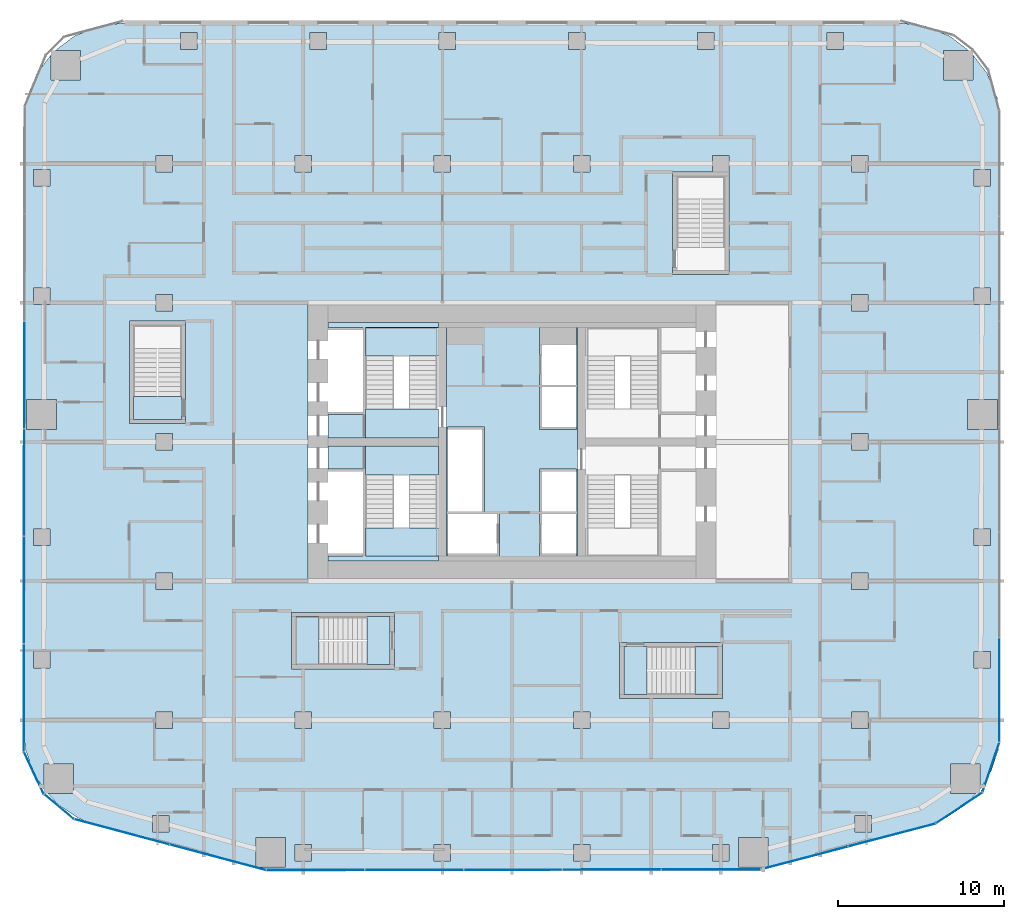
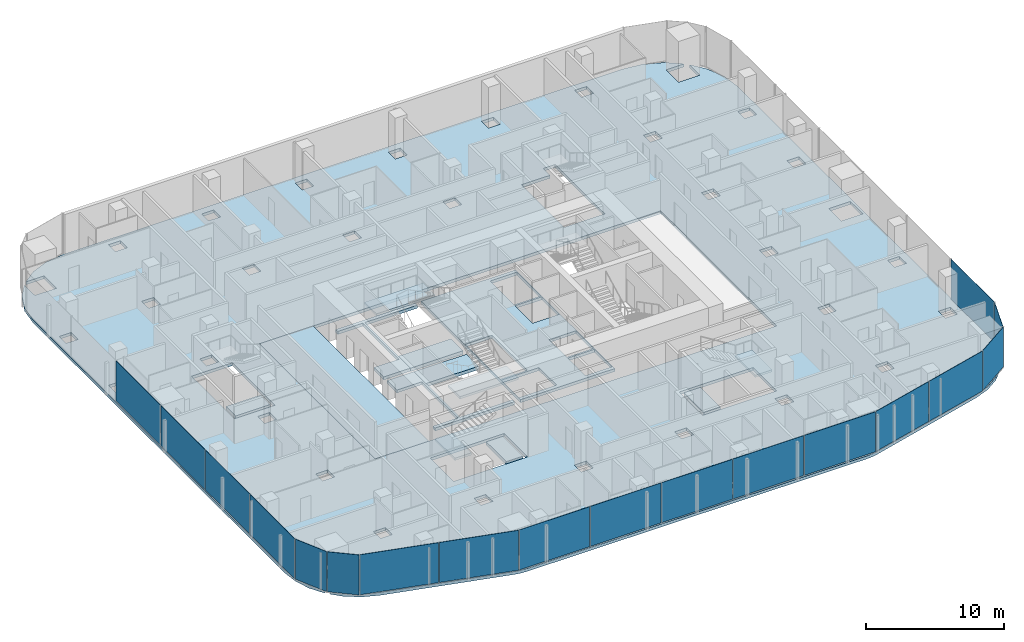
# One storey, part 14 of 26: 18 plates, 14 slabs, 13 elements without a shape of their own.
"""IFC4 building model written with IfcOpenShell, lengths in metres."""

from ifc_helpers import new_model, si_unit, direction, frame, origin, origin_2d, place, context, subcontext, project, spatial, polyline, rectangle, outline, extrude, material, layer, layer_set, type_object, element, aggregate, save


model = new_model("IFC4")

# Units and contexts
model_context = context("Model", 3, precision=1e-05, world=origin(), true_north=direction((0.0, 1.0)))
body_context = subcontext(model_context, "Body", "Model", "MODEL_VIEW")
ifc_project = project(units=[si_unit("LENGTHUNIT", "METRE"), si_unit("AREAUNIT", "SQUARE_METRE"), si_unit("VOLUMEUNIT", "CUBIC_METRE"), si_unit("PLANEANGLEUNIT", "RADIAN"), si_unit("MASSUNIT", "GRAM", prefix="KILO")], contexts=[model_context])

# Site, building, storey
site_placement = place(None, origin())
site = spatial("IfcSite", under=ifc_project, at=site_placement, CompositionType="ELEMENT")
building_placement = place(site_placement, origin())
building = spatial("IfcBuilding", under=site, at=building_placement, Name="Marenta Gate Hotel Tower", CompositionType="ELEMENT")
storey_placement = place(building_placement, frame((0.0, 0.0, 65.300048828125)))
storey = spatial("IfcBuildingStorey", under=building, at=storey_placement, Name="L14", CompositionType="ELEMENT", Elevation=65.300048828125)

# Slabs
ifc_material_1 = material(Name="Concrete C35", Category="concrete")
ifc_layer_1 = layer(ifc_material_1, 0.260009765625)
ifc_layer_set_1 = layer_set([ifc_layer_1], Name="Concrete C35")
slab_type_1 = type_object("IfcSlabType", Name="Concrete floor slab 260", PredefinedType="FLOOR", material=ifc_layer_set_1)
slab_1_placement = place(storey_placement, frame((0.0, 0.0, -0.260009765625)))
element("IfcSlab", 1, at=slab_1_placement, inside=storey, type_object=slab_type_1, Name="L14-SL-1", PredefinedType="FLOOR", context=body_context, shape_type="SweptSolid", body=[
    extrude(outline(polyline([(-27.313720703125, -13.56396484375), (-28.015625, -12.8330078125), (-26.462890625, -12.8330078125), (-26.462890625, -11.032958984375), (-28.262939453125, -11.032958984375), (-28.262939453125, -12.55859375), (-28.927001953125, -11.467041015625), (-29.35546875, -10.20703125), (-29.5, -8.889892578125), (-29.5, 27.6064453125), (-29.29296875, 29.178955078125), (-28.68359375, 30.650390625), (-27.83544921875, 31.755615234375), (-27.83544921875, 30.235595703125), (-26.035400390625, 30.235595703125), (-26.035400390625, 32.035400390625), (-27.555419921875, 32.035400390625), (-26.450439453125, 32.883544921875), (-24.97900390625, 33.492919921875), (-23.406494140625, 33.699951171875), (23.406494140625, 33.699951171875), (24.97900390625, 33.492919921875), (26.450439453125, 32.883544921875), (27.555419921875, 32.035400390625), (26.035400390625, 32.035400390625), (26.035400390625, 30.235595703125), (27.83544921875, 30.235595703125), (27.83544921875, 31.755615234375), (28.68359375, 30.650390625), (29.29296875, 29.178955078125), (29.5, 27.6064453125), (29.5, -8.889892578125), (29.35546875, -10.20703125), (28.927001953125, -11.467041015625), (28.262939453125, -12.55859375), (28.262939453125, -11.032958984375), (26.462890625, -11.032958984375), (26.462890625, -12.8330078125), (28.015625, -12.8330078125), (27.313720703125, -13.56396484375), (26.205810546875, -14.30126953125), (24.969482421875, -14.77880859375), (15.2265625, -17.36376953125), (14.70849609375, -17.4658203125), (14.181640625, -17.5), (-14.181640625, -17.5), (-14.70849609375, -17.4658203125), (-15.2265625, -17.36376953125), (-24.969482421875, -14.77880859375), (-26.205810546875, -14.30126953125), (-27.313720703125, -13.56396484375)]), holes=[polyline([(-16.800048828125, 0.0), (16.800048828125, 0.0), (16.800048828125, 16.800048828125), (-16.800048828125, 16.800048828125), (-16.800048828125, 0.0)]), polyline([(-13.666259765625, -15.474853515625), (-15.46630859375, -15.474853515625), (-15.46630859375, -17.27490234375), (-13.666259765625, -17.27490234375), (-13.666259765625, -15.474853515625)]), polyline([(-20.706787109375, -14.13916015625), (-21.706787109375, -14.13916015625), (-21.706787109375, -15.13916015625), (-20.706787109375, -15.13916015625), (-20.706787109375, -14.13916015625)]), polyline([(-20.5, -8.89990234375), (-20.5, -7.89990234375), (-21.5, -7.89990234375), (-21.5, -8.89990234375), (-20.5, -8.89990234375)]), polyline([(-12.10009765625, -8.89990234375), (-12.10009765625, -7.89990234375), (-13.10009765625, -7.89990234375), (-13.10009765625, -8.89990234375), (-12.10009765625, -8.89990234375)]), polyline([(-27.89990234375, -4.251953125), (-28.89990234375, -4.251953125), (-28.89990234375, -5.251953125), (-27.89990234375, -5.251953125), (-27.89990234375, -4.251953125)]), polyline([(-20.5, -0.5), (-20.5, 0.5), (-21.5, 0.5), (-21.5, -0.5), (-20.5, -0.5)]), polyline([(-27.89990234375, 2.149169921875), (-27.89990234375, 3.149169921875), (-28.89990234375, 3.149169921875), (-28.89990234375, 2.149169921875), (-27.89990234375, 2.149169921875)]), polyline([(-20.5, 8.89990234375), (-21.5, 8.89990234375), (-21.5, 7.89990234375), (-20.5, 7.89990234375), (-20.5, 8.89990234375)]), polyline([(-27.5, 9.14990234375), (-27.5, 10.949951171875), (-29.300048828125, 10.949951171875), (-29.300048828125, 9.14990234375), (-27.5, 9.14990234375)]), polyline([(-20.5, 16.300048828125), (-20.5, 17.300048828125), (-21.5, 17.300048828125), (-21.5, 16.300048828125), (-20.5, 16.300048828125)]), polyline([(-27.89990234375, 17.703125), (-28.89990234375, 17.703125), (-28.89990234375, 16.703125), (-27.89990234375, 16.703125), (-27.89990234375, 17.703125)]), polyline([(-27.89990234375, 23.8564453125), (-27.89990234375, 24.8564453125), (-28.89990234375, 24.8564453125), (-28.89990234375, 23.8564453125), (-27.89990234375, 23.8564453125)]), polyline([(-20.5, 24.699951171875), (-20.5, 25.699951171875), (-21.5, 25.699951171875), (-21.5, 24.699951171875), (-20.5, 24.699951171875)]), polyline([(-19.0068359375, 32.10009765625), (-19.0068359375, 33.10009765625), (-20.0068359375, 33.10009765625), (-20.0068359375, 32.10009765625), (-19.0068359375, 32.10009765625)]), polyline([(-12.10009765625, -16.89990234375), (-12.10009765625, -15.89990234375), (-13.10009765625, -15.89990234375), (-13.10009765625, -16.89990234375), (-12.10009765625, -16.89990234375)]), polyline([(-3.699951171875, -15.89990234375), (-4.699951171875, -15.89990234375), (-4.699951171875, -16.89990234375), (-3.699951171875, -16.89990234375), (-3.699951171875, -15.89990234375)]), polyline([(4.699951171875, -16.89990234375), (4.699951171875, -15.89990234375), (3.699951171875, -15.89990234375), (3.699951171875, -16.89990234375), (4.699951171875, -16.89990234375)]), polyline([(13.10009765625, -16.89990234375), (13.10009765625, -15.89990234375), (12.10009765625, -15.89990234375), (12.10009765625, -16.89990234375), (13.10009765625, -16.89990234375)]), polyline([(15.46630859375, -15.474853515625), (13.666259765625, -15.474853515625), (13.666259765625, -17.27490234375), (15.46630859375, -17.27490234375), (15.46630859375, -15.474853515625)]), polyline([(-3.699951171875, -8.89990234375), (-3.699951171875, -7.89990234375), (-4.699951171875, -7.89990234375), (-4.699951171875, -8.89990234375), (-3.699951171875, -8.89990234375)]), polyline([(4.699951171875, -8.89990234375), (4.699951171875, -7.89990234375), (3.699951171875, -7.89990234375), (3.699951171875, -8.89990234375), (4.699951171875, -8.89990234375)]), polyline([(13.10009765625, -7.89990234375), (12.10009765625, -7.89990234375), (12.10009765625, -8.89990234375), (13.10009765625, -8.89990234375), (13.10009765625, -7.89990234375)]), polyline([(-12.10009765625, 25.699951171875), (-13.10009765625, 25.699951171875), (-13.10009765625, 24.699951171875), (-12.10009765625, 24.699951171875), (-12.10009765625, 25.699951171875)]), polyline([(-3.699951171875, 25.699951171875), (-4.699951171875, 25.699951171875), (-4.699951171875, 24.699951171875), (-3.699951171875, 24.699951171875), (-3.699951171875, 25.699951171875)]), polyline([(4.699951171875, 24.699951171875), (4.699951171875, 25.699951171875), (3.699951171875, 25.699951171875), (3.699951171875, 24.699951171875), (4.699951171875, 24.699951171875)]), polyline([(13.10009765625, 25.699951171875), (12.10009765625, 25.699951171875), (12.10009765625, 24.699951171875), (9.699951171875, 24.699951171875), (9.699951171875, 18.5), (13.10009765625, 18.5), (13.10009765625, 25.699951171875)]), polyline([(-11.2041015625, 33.10009765625), (-12.2041015625, 33.10009765625), (-12.2041015625, 32.10009765625), (-11.2041015625, 32.10009765625), (-11.2041015625, 33.10009765625)]), polyline([(-3.4013671875, 32.10009765625), (-3.4013671875, 33.10009765625), (-4.4013671875, 33.10009765625), (-4.4013671875, 32.10009765625), (-3.4013671875, 32.10009765625)]), polyline([(4.4013671875, 32.10009765625), (4.4013671875, 33.10009765625), (3.4013671875, 33.10009765625), (3.4013671875, 32.10009765625), (4.4013671875, 32.10009765625)]), polyline([(12.2041015625, 33.10009765625), (11.2041015625, 33.10009765625), (11.2041015625, 32.10009765625), (12.2041015625, 32.10009765625), (12.2041015625, 33.10009765625)]), polyline([(21.706787109375, -15.13916015625), (21.706787109375, -14.13916015625), (20.706787109375, -14.13916015625), (20.706787109375, -15.13916015625), (21.706787109375, -15.13916015625)]), polyline([(21.5, -7.89990234375), (20.5, -7.89990234375), (20.5, -8.89990234375), (21.5, -8.89990234375), (21.5, -7.89990234375)]), polyline([(28.89990234375, -5.251953125), (28.89990234375, -4.251953125), (27.89990234375, -4.251953125), (27.89990234375, -5.251953125), (28.89990234375, -5.251953125)]), polyline([(21.5, -0.5), (21.5, 0.5), (20.5, 0.5), (20.5, -0.5), (21.5, -0.5)]), polyline([(28.89990234375, 3.149169921875), (27.89990234375, 3.149169921875), (27.89990234375, 2.149169921875), (28.89990234375, 2.149169921875), (28.89990234375, 3.149169921875)]), polyline([(21.5, 7.89990234375), (21.5, 8.89990234375), (20.5, 8.89990234375), (20.5, 7.89990234375), (21.5, 7.89990234375)]), polyline([(29.300048828125, 9.14990234375), (29.300048828125, 10.949951171875), (27.5, 10.949951171875), (27.5, 9.14990234375), (29.300048828125, 9.14990234375)]), polyline([(21.5, 17.300048828125), (20.5, 17.300048828125), (20.5, 16.300048828125), (21.5, 16.300048828125), (21.5, 17.300048828125)]), polyline([(28.89990234375, 16.703125), (28.89990234375, 17.703125), (27.89990234375, 17.703125), (27.89990234375, 16.703125), (28.89990234375, 16.703125)]), polyline([(28.89990234375, 23.8564453125), (28.89990234375, 24.8564453125), (27.89990234375, 24.8564453125), (27.89990234375, 23.8564453125), (28.89990234375, 23.8564453125)]), polyline([(21.5, 25.699951171875), (20.5, 25.699951171875), (20.5, 24.699951171875), (21.5, 24.699951171875), (21.5, 25.699951171875)]), polyline([(20.0068359375, 32.10009765625), (20.0068359375, 33.10009765625), (19.0068359375, 33.10009765625), (19.0068359375, 32.10009765625), (20.0068359375, 32.10009765625)]), polyline([(6.5, -7.10009765625), (12.699951171875, -7.10009765625), (12.699951171875, -3.699951171875), (6.5, -3.699951171875), (6.5, -7.10009765625)]), polyline([(-13.300048828125, -5.300048828125), (-7.10009765625, -5.300048828125), (-7.10009765625, -1.89990234375), (-13.300048828125, -1.89990234375), (-13.300048828125, -5.300048828125)]), polyline([(-23.10009765625, 9.5), (-19.699951171875, 9.5), (-19.699951171875, 15.699951171875), (-23.10009765625, 15.699951171875), (-23.10009765625, 9.5)])]), origin(), (0.0, 0.0, 1.0), 0.260009765625),
])
ifc_material_2 = material(Name="Concrete C40", Category="concrete")
ifc_layer_2 = layer(ifc_material_2, 0.260009765625)
ifc_layer_set_2 = layer_set([ifc_layer_2], Name="Concrete C40")
slab_type_2 = type_object("IfcSlabType", Name="Core floor slab 260", PredefinedType="FLOOR", material=ifc_layer_set_2)
slab_2_placement = place(storey_placement, frame((0.0, 0.0, -0.260009765625)))
element("IfcSlab", 2, at=slab_2_placement, inside=storey, type_object=slab_type_2, Name="L14-CF-4", PredefinedType="FLOOR", context=body_context, shape_type="SweptSolid", body=[
    extrude(outline(polyline([(3.949951171875, 15.300048828125), (3.949951171875, 10.39990234375), (3.949951171875, 6.39990234375), (3.949951171875, 1.5), (3.949951171875, 1.199951171875), (-3.949951171875, 1.199951171875), (-3.949951171875, 1.5), (-3.949951171875, 6.39990234375), (-3.949951171875, 10.39990234375), (-3.949951171875, 15.300048828125), (-3.949951171875, 15.60009765625), (3.949951171875, 15.60009765625), (3.949951171875, 15.300048828125)]), holes=[polyline([(1.64990234375, 4.050048828125), (1.64990234375, 1.64990234375), (1.64990234375, 1.5), (3.89990234375, 1.5), (3.89990234375, 1.64990234375), (3.89990234375, 4.050048828125), (1.800048828125, 4.050048828125), (1.64990234375, 4.050048828125)]), polyline([(1.64990234375, 9.14990234375), (3.89990234375, 9.14990234375), (3.89990234375, 9.300048828125), (3.89990234375, 11.699951171875), (1.800048828125, 11.699951171875), (1.64990234375, 11.699951171875), (1.64990234375, 9.300048828125), (1.64990234375, 9.14990234375)]), polyline([(1.64990234375, 11.85009765625), (1.800048828125, 11.85009765625), (3.89990234375, 11.85009765625), (3.89990234375, 14.25), (3.89990234375, 15.300048828125), (1.64990234375, 15.300048828125), (1.64990234375, 14.25), (1.64990234375, 11.85009765625)]), polyline([(3.89990234375, 6.60009765625), (3.89990234375, 6.75), (1.64990234375, 6.75), (1.64990234375, 6.60009765625), (1.64990234375, 4.199951171875), (1.800048828125, 4.199951171875), (3.89990234375, 4.199951171875), (3.89990234375, 6.60009765625)]), polyline([(-3.89990234375, 1.5), (-0.89990234375, 1.5), (-0.75, 1.5), (-0.75, 4.050048828125), (-0.89990234375, 4.050048828125), (-3.89990234375, 4.050048828125), (-3.89990234375, 1.64990234375), (-3.89990234375, 1.5)]), polyline([(-1.64990234375, 4.199951171875), (-1.64990234375, 9.14990234375), (-1.64990234375, 9.300048828125), (-3.89990234375, 9.300048828125), (-3.89990234375, 9.14990234375), (-3.89990234375, 6.75), (-3.89990234375, 6.60009765625), (-3.89990234375, 4.199951171875), (-1.800048828125, 4.199951171875), (-1.64990234375, 4.199951171875)])]), origin(), (0.0, 0.0, 1.0), 0.260009765625),
])
slab_3_placement = place(storey_placement, frame((0.0, 0.0, -0.260009765625)))
element("IfcSlab", 3, at=slab_3_placement, inside=storey, type_object=slab_type_2, Name="L14-CF-5", PredefinedType="FLOOR", context=body_context, shape_type="SweptSolid", body=[
    extrude(outline(polyline([(-9.0, 1.5), (-9.0, 1.64990234375), (-9.0, 4.050048828125), (-9.0, 4.199951171875), (-9.0, 6.60009765625), (-9.0, 6.75), (-11.10009765625, 6.75), (-11.10009765625, 8.14990234375), (-8.85009765625, 8.14990234375), (-8.85009765625, 8.10009765625), (-8.85009765625, 6.39990234375), (-8.85009765625, 1.5), (-4.449951171875, 1.5), (-4.449951171875, 1.199951171875), (-11.10009765625, 1.199951171875), (-11.10009765625, 1.5), (-9.0, 1.5)])), origin(), (0.0, 0.0, 1.0), 0.260009765625),
])
slab_4_placement = place(storey_placement, frame((0.0, 0.0, -0.260009765625)))
element("IfcSlab", 4, at=slab_4_placement, inside=storey, type_object=slab_type_2, Name="L14-CF-6", PredefinedType="FLOOR", context=body_context, shape_type="SweptSolid", body=[
    extrude(outline(polyline([(-4.449951171875, 15.300048828125), (-8.85009765625, 15.300048828125), (-8.85009765625, 10.39990234375), (-8.85009765625, 8.699951171875), (-8.85009765625, 8.64990234375), (-11.10009765625, 8.64990234375), (-11.10009765625, 10.050048828125), (-9.0, 10.050048828125), (-9.0, 10.199951171875), (-9.0, 12.60009765625), (-9.0, 12.75), (-9.0, 15.14990234375), (-9.0, 15.300048828125), (-11.10009765625, 15.300048828125), (-11.10009765625, 15.60009765625), (-4.449951171875, 15.60009765625), (-4.449951171875, 15.300048828125)])), origin(), (0.0, 0.0, 1.0), 0.260009765625),
])
slab_5_placement = place(storey_placement, frame((0.0, 0.0, -0.260009765625)))
element("IfcSlab", 5, at=slab_5_placement, inside=storey, type_object=slab_type_2, Name="L14-CF-7", PredefinedType="FLOOR", context=body_context, shape_type="SweptSolid", body=[
    extrude(outline(polyline([(-12.300048828125, 16.800048828125), (-12.300048828125, 0.0), (-16.800048828125, 0.0), (-16.800048828125, 16.800048828125), (-12.300048828125, 16.800048828125)])), origin(), (0.0, 0.0, 1.0), 0.260009765625),
])

# Stair, slab
ifc_material_3 = material(Name="Concrete C40", Category="concrete")
stair_type_1 = type_object("IfcStairType", Name="Core exit stair 1700 wide", PredefinedType="HALF_TURN_STAIR", material=ifc_material_3)
stair_1_placement = place(storey_placement, origin())
stair_1 = element("IfcStair", 6, at=stair_1_placement, inside=storey, type_object=stair_type_1, Name="Exit stair 1", PredefinedType="HALF_TURN_STAIR")
ifc_material_4 = material(Name="Concrete C40", Category="concrete")
ifc_layer_3 = layer(ifc_material_4, 0.199951171875)
ifc_layer_set_3 = layer_set([ifc_layer_3], Name="Concrete C40")
slab_type_3 = type_object("IfcSlabType", Name="Core stair landing 200", PredefinedType="LANDING", material=ifc_layer_set_3)
slab_6_placement = place(storey_placement, frame((0.0, 0.0, 1.599853515625)))
slab_6 = element("IfcSlab", 7, at=slab_6_placement, type_object=slab_type_3, Name="SL-200 ST1 landing 1", PredefinedType="LANDING", context=body_context, shape_type="SweptSolid", body=[
    extrude(outline(polyline([(-8.85009765625, 1.5), (-3.949951171875, 1.5), (-3.949951171875, 3.2099609375), (-8.85009765625, 3.2099609375), (-8.85009765625, 1.5)])), origin(), (0.0, 0.0, 1.0), 0.2001953125),
])
aggregate(stair_1, [slab_6])

stair_2_placement = place(storey_placement, origin())
stair_2 = element("IfcStair", 8, at=stair_2_placement, inside=storey, type_object=stair_type_1, Name="Exit stair 2", PredefinedType="HALF_TURN_STAIR")
slab_7_placement = place(storey_placement, frame((0.0, 0.0, 1.599853515625)))
slab_7 = element("IfcSlab", 9, at=slab_7_placement, type_object=slab_type_3, Name="SL-200 ST2 landing 1", PredefinedType="LANDING", context=body_context, shape_type="SweptSolid", body=[
    extrude(outline(polyline([(-8.85009765625, 13.590087890625), (-3.949951171875, 13.590087890625), (-3.949951171875, 15.300048828125), (-8.85009765625, 15.300048828125), (-8.85009765625, 13.590087890625)])), origin(), (0.0, 0.0, 1.0), 0.2001953125),
])
aggregate(stair_2, [slab_7])

# Curtain wall, plates
ifc_material_5 = material(Name="Tinted insulated glass in bronze anodised frame", Category="glass")
ifc_layer_4 = layer(ifc_material_5, 0.1201171875)
ifc_layer_set_4 = layer_set([ifc_layer_4], Name="Tinted insulated glass in bronze anodised frame")
curtain_wall_type = type_object("IfcCurtainWallType", Name="Tower unitised curtain wall CW1", PredefinedType="NOTDEFINED", material=ifc_layer_set_4)
curtain_wall_1_placement = place(storey_placement, origin())
curtain_wall_1 = element("IfcCurtainWall", 10, at=curtain_wall_1_placement, inside=storey, type_object=curtain_wall_type, Name="CW1 run G03", PredefinedType="NOTDEFINED")
ifc_material_6 = material(Name="Tinted insulated glass", Category="glass")
ifc_layer_5 = layer(ifc_material_6, 0.028076171875)
ifc_layer_set_5 = layer_set([ifc_layer_5], Name="Tinted insulated glass")
plate_type = type_object("IfcPlateType", Name="Glass panel CW1 28 mm tinted insulated unit", PredefinedType="CURTAIN_PANEL", material=ifc_layer_set_5)
plate_1_placement = place(storey_placement, frame((-29.437744140625, 12.440185546875, 0.059814453125), z_axis=(0.0, 0.0, 1.0), x_axis=(-0.00156642217, -0.99999877316, 0.0)))
plate_1 = element("IfcPlate", 11, at=plate_1_placement, type_object=plate_type, Name="CW1 panel 3.1", PredefinedType="CURTAIN_PANEL", context=body_context, shape_type="SweptSolid", body=[
    extrude(rectangle(XDim=6.430419921875, YDim=0.028076171875, at=origin_2d()), origin(), (0.0, 0.0, 1.0), 3.5400390625),
])
plate_2_placement = place(storey_placement, frame((-29.447998046875, 5.949951171875, 0.059814453125), z_axis=(0.0, 0.0, 1.0), x_axis=(-0.00156642217, -0.99999877316, 0.0)))
plate_2 = element("IfcPlate", 12, at=plate_2_placement, type_object=plate_type, Name="CW1 panel 4.1", PredefinedType="CURTAIN_PANEL", context=body_context, shape_type="SweptSolid", body=[
    extrude(rectangle(XDim=6.430419921875, YDim=0.028076171875, at=origin_2d()), origin(), (0.0, 0.0, 1.0), 3.5400390625),
])
plate_3_placement = place(storey_placement, frame((-29.4580078125, -0.54052734375, 0.059814453125), z_axis=(0.0, 0.0, 1.0), x_axis=(-0.00156642217, -0.99999877316, 0.0)))
plate_3 = element("IfcPlate", 13, at=plate_3_placement, type_object=plate_type, Name="CW1 panel 5.1", PredefinedType="CURTAIN_PANEL", context=body_context, shape_type="SweptSolid", body=[
    extrude(rectangle(XDim=6.430419921875, YDim=0.028076171875, at=origin_2d()), origin(), (0.0, 0.0, 1.0), 3.5400390625),
])
plate_4_placement = place(storey_placement, frame((-29.46826171875, -7.0458984375, 0.059814453125), z_axis=(0.0, 0.0, 1.0), x_axis=(-0.00156642217, -0.99999877316, 0.0)))
plate_4 = element("IfcPlate", 14, at=plate_4_placement, type_object=plate_type, Name="CW1 panel 6.1", PredefinedType="CURTAIN_PANEL", context=body_context, shape_type="SweptSolid", body=[
    extrude(rectangle(XDim=6.46044921875, YDim=0.028076171875, at=origin_2d()), origin(), (0.0, 0.0, 1.0), 3.5400390625),
])
aggregate(curtain_wall_1, [plate_1, plate_2, plate_3, plate_4])

# Curtain wall, plate
curtain_wall_2_placement = place(storey_placement, origin())
curtain_wall_2 = element("IfcCurtainWall", 15, at=curtain_wall_2_placement, inside=storey, type_object=curtain_wall_type, Name="CW1 run G04", PredefinedType="NOTDEFINED")
plate_5_placement = place(storey_placement, frame((-28.861083984375, -11.5859375, 0.059814453125), z_axis=(0.0, 0.0, 1.0), x_axis=(0.423341617441, -0.905970129167, 0.0)))
plate_5 = element("IfcPlate", 16, at=plate_5_placement, type_object=plate_type, Name="CW1 panel 1.1", PredefinedType="CURTAIN_PANEL", context=body_context, shape_type="SweptSolid", body=[
    extrude(rectangle(XDim=2.77197265625, YDim=0.028076171875, at=origin_2d()), origin(), (0.0, 0.0, 1.0), 3.5400390625),
])
aggregate(curtain_wall_2, [plate_5])

curtain_wall_3_placement = place(storey_placement, origin())
curtain_wall_3 = element("IfcCurtainWall", 17, at=curtain_wall_3_placement, inside=storey, type_object=curtain_wall_type, Name="CW1 run G05", PredefinedType="NOTDEFINED")
plate_6_placement = place(storey_placement, frame((-27.33984375, -13.623291015625, 0.059814453125), z_axis=(0.0, 0.0, 1.0), x_axis=(0.767113012445, -0.641511984407, 0.0)))
plate_6 = element("IfcPlate", 18, at=plate_6_placement, type_object=plate_type, Name="CW1 panel 1.1", PredefinedType="CURTAIN_PANEL", context=body_context, shape_type="SweptSolid", body=[
    extrude(rectangle(XDim=2.316650390625, YDim=0.028076171875, at=origin_2d()), origin(), (0.0, 0.0, 1.0), 3.5400390625),
])
aggregate(curtain_wall_3, [plate_6])

# Curtain wall, plates
curtain_wall_4_placement = place(storey_placement, origin())
curtain_wall_4 = element("IfcCurtainWall", 19, at=curtain_wall_4_placement, inside=storey, type_object=curtain_wall_type, Name="CW1 run G06", PredefinedType="NOTDEFINED")
plate_7_placement = place(storey_placement, frame((-23.541748046875, -15.140625, 0.059814453125), z_axis=(0.0, 0.0, 1.0), x_axis=(0.966373715782, -0.257141675823, 0.0)))
plate_7 = element("IfcPlate", 20, at=plate_7_placement, type_object=plate_type, Name="CW1 panel 1.1", PredefinedType="CURTAIN_PANEL", context=body_context, shape_type="SweptSolid", body=[
    extrude(rectangle(XDim=5.90185546875, YDim=0.028076171875, at=origin_2d()), origin(), (0.0, 0.0, 1.0), 3.5400390625),
])
plate_8_placement = place(storey_placement, frame((-17.751220703125, -16.681396484375, 0.059814453125), z_axis=(0.0, 0.0, 1.0), x_axis=(0.966373715782, -0.257141675823, 0.0)))
plate_8 = element("IfcPlate", 21, at=plate_8_placement, type_object=plate_type, Name="CW1 panel 2.1", PredefinedType="CURTAIN_PANEL", context=body_context, shape_type="SweptSolid", body=[
    extrude(rectangle(XDim=5.9619140625, YDim=0.028076171875, at=origin_2d()), origin(), (0.0, 0.0, 1.0), 3.5400390625),
])
aggregate(curtain_wall_4, [plate_7, plate_8])

curtain_wall_5_placement = place(storey_placement, origin())
curtain_wall_5 = element("IfcCurtainWall", 22, at=curtain_wall_5_placement, inside=storey, type_object=curtain_wall_type, Name="CW1 run G07", PredefinedType="NOTDEFINED")
plate_9_placement = place(storey_placement, frame((-11.869140625, -17.4443359375, 0.059814453125), z_axis=(0.0, 0.0, 1.0), x_axis=(0.999999324969, 0.001161921639, 0.0)))
plate_9 = element("IfcPlate", 23, at=plate_9_placement, type_object=plate_type, Name="CW1 panel 1.1", PredefinedType="CURTAIN_PANEL", context=body_context, shape_type="SweptSolid", body=[
    extrude(rectangle(XDim=5.8828125, YDim=0.028076171875, at=origin_2d()), origin(), (0.0, 0.0, 1.0), 3.5400390625),
])
plate_10_placement = place(storey_placement, frame((-5.911376953125, -17.4375, 0.059814453125), z_axis=(0.0, 0.0, 1.0), x_axis=(0.999999324969, 0.001161921639, 0.0)))
plate_10 = element("IfcPlate", 24, at=plate_10_placement, type_object=plate_type, Name="CW1 panel 2.1", PredefinedType="CURTAIN_PANEL", context=body_context, shape_type="SweptSolid", body=[
    extrude(rectangle(XDim=5.912841796875, YDim=0.028076171875, at=origin_2d()), origin(), (0.0, 0.0, 1.0), 3.5400390625),
])
plate_11_placement = place(storey_placement, frame((0.0615234375, -17.430419921875, 0.059814453125), z_axis=(0.0, 0.0, 1.0), x_axis=(0.999999324969, 0.001161921639, 0.0)))
plate_11 = element("IfcPlate", 25, at=plate_11_placement, type_object=plate_type, Name="CW1 panel 3.1", PredefinedType="CURTAIN_PANEL", context=body_context, shape_type="SweptSolid", body=[
    extrude(rectangle(XDim=5.912841796875, YDim=0.028076171875, at=origin_2d()), origin(), (0.0, 0.0, 1.0), 3.5400390625),
])
plate_12_placement = place(storey_placement, frame((6.034423828125, -17.423583984375, 0.059814453125), z_axis=(0.0, 0.0, 1.0), x_axis=(0.999999324969, 0.001161921639, 0.0)))
plate_12 = element("IfcPlate", 26, at=plate_12_placement, type_object=plate_type, Name="CW1 panel 4.1", PredefinedType="CURTAIN_PANEL", context=body_context, shape_type="SweptSolid", body=[
    extrude(rectangle(XDim=5.912841796875, YDim=0.028076171875, at=origin_2d()), origin(), (0.0, 0.0, 1.0), 3.5400390625),
])
plate_13_placement = place(storey_placement, frame((12.022216796875, -17.41650390625, 0.059814453125), z_axis=(0.0, 0.0, 1.0), x_axis=(0.999999324969, 0.001161921639, 0.0)))
plate_13 = element("IfcPlate", 27, at=plate_13_placement, type_object=plate_type, Name="CW1 panel 5.1", PredefinedType="CURTAIN_PANEL", context=body_context, shape_type="SweptSolid", body=[
    extrude(rectangle(XDim=5.94287109375, YDim=0.028076171875, at=origin_2d()), origin(), (0.0, 0.0, 1.0), 3.5400390625),
])
aggregate(curtain_wall_5, [plate_9, plate_10, plate_11, plate_12, plate_13])

curtain_wall_6_placement = place(storey_placement, origin())
curtain_wall_6 = element("IfcCurtainWall", 28, at=curtain_wall_6_placement, inside=storey, type_object=curtain_wall_type, Name="CW1 run G08", PredefinedType="NOTDEFINED")
plate_14_placement = place(storey_placement, frame((17.651611328125, -16.717041015625, 0.059814453125), z_axis=(0.0, 0.0, 1.0), x_axis=(0.967368966674, 0.25337182621, 0.0)))
plate_14 = element("IfcPlate", 29, at=plate_14_placement, type_object=plate_type, Name="CW1 panel 1.1", PredefinedType="CURTAIN_PANEL", context=body_context, shape_type="SweptSolid", body=[
    extrude(rectangle(XDim=5.375244140625, YDim=0.028076171875, at=origin_2d()), origin(), (0.0, 0.0, 1.0), 3.5400390625),
])
plate_15_placement = place(storey_placement, frame((22.938720703125, -15.332275390625, 0.059814453125), z_axis=(0.0, 0.0, 1.0), x_axis=(0.967368966674, 0.25337182621, 0.0)))
plate_15 = element("IfcPlate", 30, at=plate_15_placement, type_object=plate_type, Name="CW1 panel 2.1", PredefinedType="CURTAIN_PANEL", context=body_context, shape_type="SweptSolid", body=[
    extrude(rectangle(XDim=5.435302734375, YDim=0.028076171875, at=origin_2d()), origin(), (0.0, 0.0, 1.0), 3.5400390625),
])
aggregate(curtain_wall_6, [plate_14, plate_15])

# Curtain wall, plate
curtain_wall_7_placement = place(storey_placement, origin())
curtain_wall_7 = element("IfcCurtainWall", 31, at=curtain_wall_7_placement, inside=storey, type_object=curtain_wall_type, Name="CW1 run G09", PredefinedType="NOTDEFINED")
plate_16_placement = place(storey_placement, frame((27.006591796875, -13.685791015625, 0.059814453125), z_axis=(0.0, 0.0, 1.0), x_axis=(0.832493824282, 0.554034324326, 0.0)))
plate_16 = element("IfcPlate", 32, at=plate_16_placement, type_object=plate_type, Name="CW1 panel 1.1", PredefinedType="CURTAIN_PANEL", context=body_context, shape_type="SweptSolid", body=[
    extrude(rectangle(XDim=3.33740234375, YDim=0.028076171875, at=origin_2d()), origin(), (0.0, 0.0, 1.0), 3.5400390625),
])
aggregate(curtain_wall_7, [plate_16])

curtain_wall_8_placement = place(storey_placement, origin())
curtain_wall_8 = element("IfcCurtainWall", 33, at=curtain_wall_8_placement, inside=storey, type_object=curtain_wall_type, Name="CW1 run G10", PredefinedType="NOTDEFINED")
plate_17_placement = place(storey_placement, frame((28.91455078125, -11.236328125, 0.059814453125), z_axis=(0.0, 0.0, 1.0), x_axis=(0.322028604337, 0.946729939312, 0.0)))
plate_17 = element("IfcPlate", 34, at=plate_17_placement, type_object=plate_type, Name="CW1 panel 1.1", PredefinedType="CURTAIN_PANEL", context=body_context, shape_type="SweptSolid", body=[
    extrude(rectangle(XDim=3.101806640625, YDim=0.028076171875, at=origin_2d()), origin(), (0.0, 0.0, 1.0), 3.5400390625),
])
aggregate(curtain_wall_8, [plate_17])

curtain_wall_9_placement = place(storey_placement, origin())
curtain_wall_9 = element("IfcCurtainWall", 35, at=curtain_wall_9_placement, inside=storey, type_object=curtain_wall_type, Name="CW1 run G11", PredefinedType="NOTDEFINED")
plate_18_placement = place(storey_placement, frame((29.4140625, -6.572998046875, 0.059814453125), z_axis=(0.0, 0.0, 1.0), x_axis=(0.0, 1.0, 0.0)))
plate_18 = element("IfcPlate", 36, at=plate_18_placement, type_object=plate_type, Name="CW1 panel 1.1", PredefinedType="CURTAIN_PANEL", context=body_context, shape_type="SweptSolid", body=[
    extrude(rectangle(XDim=6.27001953125, YDim=0.028076171875, at=origin_2d()), origin(), (0.0, 0.0, 1.0), 3.5400390625),
])
aggregate(curtain_wall_9, [plate_18])

# Stair, slab
ifc_material_7 = material(Name="Concrete C40", Category="concrete")
stair_type_2 = type_object("IfcStairType", Name="Remote exit stair 1400 wide", PredefinedType="HALF_TURN_STAIR", material=ifc_material_7)
stair_3_placement = place(storey_placement, origin())
stair_3 = element("IfcStair", 37, at=stair_3_placement, inside=storey, type_object=stair_type_2, Name="Exit stair RS-Z1-1", PredefinedType="HALF_TURN_STAIR")
ifc_material_8 = material(Name="Concrete C40", Category="concrete")
ifc_layer_6 = layer(ifc_material_8, 0.199951171875)
ifc_layer_set_6 = layer_set([ifc_layer_6], Name="Concrete C40")
slab_type_4 = type_object("IfcSlabType", Name="Remote stair landing 200", PredefinedType="LANDING", material=ifc_layer_set_6)
slab_8_placement = place(storey_placement, frame((0.0, 0.0, 1.599853515625)))
slab_8 = element("IfcSlab", 38, at=slab_8_placement, type_object=slab_type_4, Name="RL-200 RS-Z1-1 landing 1", PredefinedType="LANDING", context=body_context, shape_type="SweptSolid", body=[
    extrude(outline(polyline([(11.050048828125, -6.85009765625), (12.449951171875, -6.85009765625), (12.449951171875, -3.949951171875), (11.050048828125, -3.949951171875), (11.050048828125, -6.85009765625)])), origin(), (0.0, 0.0, 1.0), 0.2001953125),
])
aggregate(stair_3, [slab_8])

stair_4_placement = place(storey_placement, origin())
stair_4 = element("IfcStair", 39, at=stair_4_placement, inside=storey, type_object=stair_type_2, Name="Exit stair RS-Z1-2", PredefinedType="HALF_TURN_STAIR")
slab_9_placement = place(storey_placement, frame((0.0, 0.0, 1.599853515625)))
slab_9 = element("IfcSlab", 40, at=slab_9_placement, type_object=slab_type_4, Name="RL-200 RS-Z1-2 landing 1", PredefinedType="LANDING", context=body_context, shape_type="SweptSolid", body=[
    extrude(outline(polyline([(-13.050048828125, -5.050048828125), (-11.64990234375, -5.050048828125), (-11.64990234375, -2.14990234375), (-13.050048828125, -2.14990234375), (-13.050048828125, -5.050048828125)])), origin(), (0.0, 0.0, 1.0), 0.2001953125),
])
aggregate(stair_4, [slab_9])

# Slabs
ifc_material_9 = material(Name="Concrete C40", Category="concrete")
ifc_layer_7 = layer(ifc_material_9, 0.300048828125)
ifc_layer_set_7 = layer_set([ifc_layer_7], Name="Concrete C40")
slab_type_5 = type_object("IfcSlabType", Name="Stair floor landing slab 300", PredefinedType="FLOOR", material=ifc_layer_set_7)
slab_10_placement = place(storey_placement, frame((0.0, 0.0, -0.300048828125)))
element("IfcSlab", 41, at=slab_10_placement, inside=storey, type_object=slab_type_5, Name="L14-CL-ST1-1", PredefinedType="FLOOR", context=body_context, shape_type="SweptSolid", body=[
    extrude(outline(polyline([(-4.449951171875, 6.39990234375), (-8.85009765625, 6.39990234375), (-8.85009765625, 8.10009765625), (-8.85009765625, 8.14990234375), (-4.449951171875, 8.14990234375), (-4.449951171875, 6.39990234375)])), origin(), (0.0, 0.0, 1.0), 0.300048828125),
])
slab_11_placement = place(storey_placement, frame((0.0, 0.0, -0.300048828125)))
element("IfcSlab", 42, at=slab_11_placement, inside=storey, type_object=slab_type_5, Name="L14-CL-ST2-1", PredefinedType="FLOOR", context=body_context, shape_type="SweptSolid", body=[
    extrude(outline(polyline([(-4.449951171875, 8.64990234375), (-8.85009765625, 8.64990234375), (-8.85009765625, 8.699951171875), (-8.85009765625, 10.39990234375), (-4.449951171875, 10.39990234375), (-4.449951171875, 8.64990234375)])), origin(), (0.0, 0.0, 1.0), 0.300048828125),
])
slab_12_placement = place(storey_placement, frame((0.0, 0.0, -0.300048828125)))
element("IfcSlab", 43, at=slab_12_placement, inside=storey, type_object=slab_type_5, Name="L14-RS-Z1-1-CL", PredefinedType="FLOOR", context=body_context, shape_type="SweptSolid", body=[
    extrude(outline(polyline([(8.14990234375, -6.85009765625), (8.14990234375, -3.949951171875), (6.75, -3.949951171875), (6.75, -6.85009765625), (8.14990234375, -6.85009765625)])), origin(), (0.0, 0.0, 1.0), 0.300048828125),
])
slab_13_placement = place(storey_placement, frame((0.0, 0.0, -0.300048828125)))
element("IfcSlab", 44, at=slab_13_placement, inside=storey, type_object=slab_type_5, Name="L14-RS-Z1-2-CL", PredefinedType="FLOOR", context=body_context, shape_type="SweptSolid", body=[
    extrude(outline(polyline([(-7.35009765625, -5.050048828125), (-7.35009765625, -2.14990234375), (-8.75, -2.14990234375), (-8.75, -5.050048828125), (-7.35009765625, -5.050048828125)])), origin(), (0.0, 0.0, 1.0), 0.300048828125),
])
slab_14_placement = place(storey_placement, frame((0.0, 0.0, -0.300048828125)))
element("IfcSlab", 45, at=slab_14_placement, inside=storey, type_object=slab_type_5, Name="L14-RS-Z1-3-CL", PredefinedType="FLOOR", context=body_context, shape_type="SweptSolid", body=[
    extrude(outline(polyline([(-19.949951171875, 9.75), (-19.949951171875, 11.14990234375), (-22.85009765625, 11.14990234375), (-22.85009765625, 9.75), (-19.949951171875, 9.75)])), origin(), (0.0, 0.0, 1.0), 0.300048828125),
])

save(model, "model.ifc")
